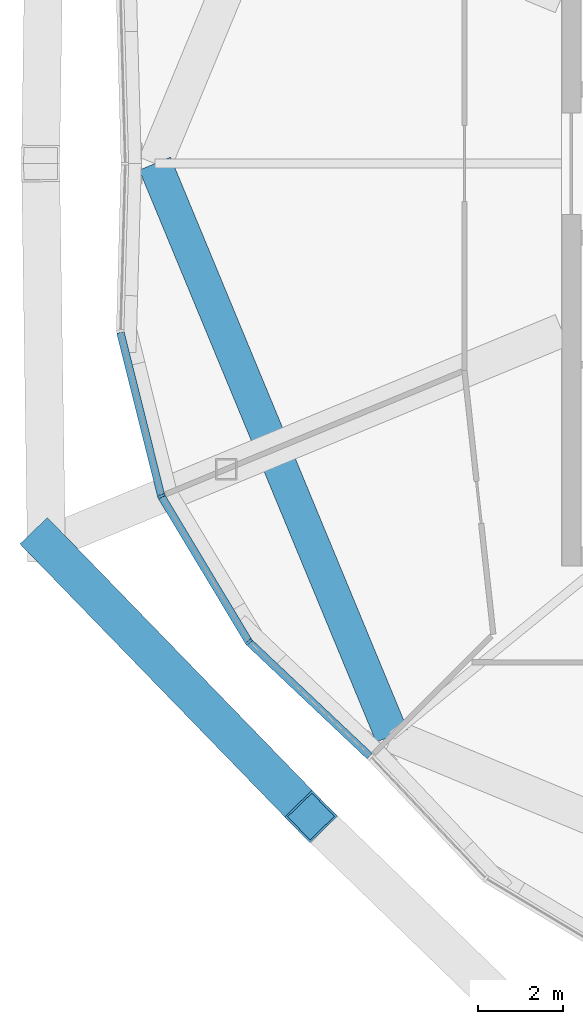
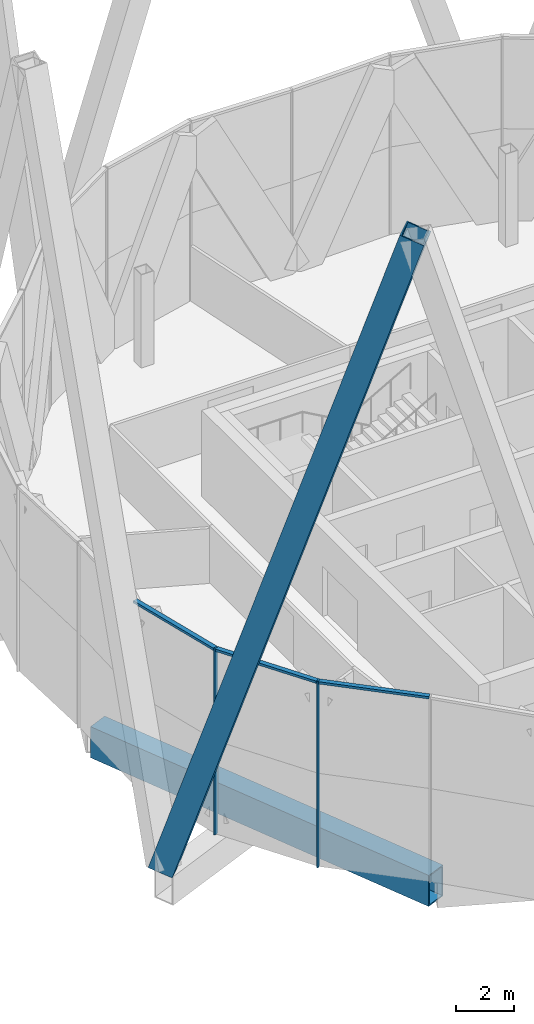
# One storey, part 4 of 53: 6 members, 1 beam, 1 element without a shape of its own.
"""IFC4 building model written with IfcOpenShell, lengths in metres."""

from ifc_helpers import new_model, si_unit, direction, frame, origin, origin_2d, place, context, subcontext, project, spatial, rectangle, hollow_rectangle, extrude, material, material_profile, profile_set, type_object, element, aggregate, save


model = new_model("IFC4")

# Units and contexts
model_context = context("Model", 3, precision=1e-05, world=origin(), true_north=direction((0.0, 1.0)))
body_context = subcontext(model_context, "Body", "Model", "MODEL_VIEW")
ifc_project = project(units=[si_unit("LENGTHUNIT", "METRE"), si_unit("AREAUNIT", "SQUARE_METRE"), si_unit("VOLUMEUNIT", "CUBIC_METRE"), si_unit("PLANEANGLEUNIT", "RADIAN"), si_unit("MASSUNIT", "GRAM", prefix="KILO")], contexts=[model_context])

# Site, building, storey
site_placement = place(None, origin())
site = spatial("IfcSite", under=ifc_project, at=site_placement, CompositionType="ELEMENT")
building_placement = place(site_placement, origin())
building = spatial("IfcBuilding", under=site, at=building_placement, Name="Ogive Gate Towers", CompositionType="ELEMENT")
storey_placement = place(building_placement, frame((0.0, 0.0, 240.60009765625)))
storey = spatial("IfcBuildingStorey", under=building, at=storey_placement, Name="L57", CompositionType="ELEMENT", Elevation=240.60009765625)

# Member
ifc_material_1 = material(Name="Steel SM460", Category="steel")
ifc_material_profile_1 = material_profile(ifc_material_1, hollow_rectangle(XDim=0.89990234375, YDim=0.89990234375, WallThickness=0.050048828125, at=origin_2d()), Name="BX 900x900x50")
ifc_profile_set_1 = profile_set([ifc_material_profile_1], Name="Steel SM460")
member_type_1 = type_object("IfcMemberType", Name="Diagrid diagonal BX 900x900x50", PredefinedType="BRACE", material=ifc_profile_set_1)
member_1_placement = place(storey_placement, frame((-57.67431640625, -8.977783203125, 0.0), z_axis=(0.211259451685, -0.217751746913, 0.952866003586), x_axis=(0.717725362087, 0.696326291775, 0.0)))
element("IfcMember", 1, at=member_1_placement, inside=storey, type_object=member_type_1, Name="T1/L57/SDG010", PredefinedType="BRACE", context=body_context, shape_type="SweptSolid", body=[
    extrude(hollow_rectangle(XDim=0.89990234375, YDim=0.89990234375, WallThickness=0.050048828125, at=origin_2d()), origin(), (0.0, 0.0, 1.0), 29.594970703125),
])

# Beam
ifc_material_profile_2 = material_profile(ifc_material_1, hollow_rectangle(XDim=0.800048828125, YDim=1.300048828125, WallThickness=0.050048828125, at=origin_2d()), Name="BX 1300x800x50")
ifc_profile_set_2 = profile_set([ifc_material_profile_2], Name="Steel SM460")
beam_type = type_object("IfcBeamType", Name="Edge girder BX 1300x800x50", PredefinedType="BEAM", material=ifc_profile_set_2)
beam_placement = place(storey_placement, frame((-55.110107421875, 0.0, -0.9501953125), z_axis=(0.38269921506, -0.923872994947, 0.0), x_axis=(0.923872994947, 0.38269921506, 0.0)))
element("IfcBeam", 2, at=beam_placement, inside=storey, type_object=beam_type, Name="T1/L57/SBM024", PredefinedType="BEAM", context=body_context, shape_type="SweptSolid", body=[
    extrude(hollow_rectangle(XDim=0.800048828125, YDim=1.300048828125, WallThickness=0.050048828125, at=origin_2d()), origin(), (0.0, 0.0, 1.0), 14.626220703125),
])

# Curtain wall, members
ifc_material_2 = material(Name="Pale metal aluminium", Category="aluminium")
curtain_wall_type = type_object("IfcCurtainWallType", Name="Tower unitised wall, high zone", PredefinedType="NOTDEFINED", material=ifc_material_2)
curtain_wall_placement = place(storey_placement, origin())
curtain_wall = element("IfcCurtainWall", 3, at=curtain_wall_placement, inside=storey, type_object=curtain_wall_type, Name="CW2 T1 ECW07", PredefinedType="NOTDEFINED")
ifc_material_profile_3 = material_profile(ifc_material_2, rectangle(XDim=0.179931640625, YDim=0.06005859375, at=origin_2d()), Name="60 x 180 aluminium box")
ifc_profile_set_3 = profile_set([ifc_material_profile_3], Name="Pale metal aluminium")
member_type_2 = type_object("IfcMemberType", Name="Tower unitised wall, high zone mullion 60 x 180", PredefinedType="MULLION", material=ifc_profile_set_3)
member_2_placement = place(storey_placement, frame((-52.890380859375, -11.297607421875, -0.300048828125), z_axis=(0.0, 0.0, 1.0), x_axis=(0.779283280466, 0.626671819046, 0.0)))
member_2 = element("IfcMember", 4, at=member_2_placement, type_object=member_type_2, Name="CW2 mullion", PredefinedType="MULLION", context=body_context, shape_type="SweptSolid", body=[
    extrude(rectangle(XDim=0.179931640625, YDim=0.06005859375, at=origin_2d()), origin(), (0.0, 0.0, 1.0), 7.800048828125),
])
member_3_placement = place(storey_placement, frame((-54.958984375, -7.85302734375, -0.300048828125), z_axis=(0.0, 0.0, 1.0), x_axis=(0.923879532511, 0.382683432365, 0.0)))
member_3 = element("IfcMember", 5, at=member_3_placement, type_object=member_type_2, Name="CW2 mullion", PredefinedType="MULLION", context=body_context, shape_type="SweptSolid", body=[
    extrude(rectangle(XDim=0.179931640625, YDim=0.06005859375, at=origin_2d()), origin(), (0.0, 0.0, 1.0), 7.800048828125),
])
ifc_material_profile_4 = material_profile(ifc_material_2, rectangle(XDim=0.179931640625, YDim=0.10009765625, at=origin_2d()), Name="100 x 180 aluminium box")
ifc_profile_set_4 = profile_set([ifc_material_profile_4], Name="Pale metal aluminium")
member_type_3 = type_object("IfcMemberType", Name="Tower unitised wall, high zone transom 100 x 180", PredefinedType="USERDEFINED", material=ifc_profile_set_4)
member_4_placement = place(storey_placement, frame((-50.03662109375, -13.994384765625, 7.449951171875), z_axis=(-0.726848007603, 0.686798350204, 0.0), x_axis=(-0.686798350204, -0.726848007603, 0.0)))
member_4 = element("IfcMember", 6, at=member_4_placement, type_object=member_type_3, Name="CW2 transom", ObjectType="TRANSOM", PredefinedType="USERDEFINED", context=body_context, shape_type="SweptSolid", body=[
    extrude(rectangle(XDim=0.179931640625, YDim=0.10009765625, at=origin_2d()), origin(), (0.0, 0.0, 1.0), 3.895263671875),
])
member_5_placement = place(storey_placement, frame((-52.90673828125, -11.270751953125, 7.449951171875), z_axis=(-0.51482252034, 0.857296782072, 0.0), x_axis=(-0.857296782072, -0.51482252034, 0.0)))
member_5 = element("IfcMember", 7, at=member_5_placement, type_object=member_type_3, Name="CW2 transom", ObjectType="TRANSOM", PredefinedType="USERDEFINED", context=body_context, shape_type="SweptSolid", body=[
    extrude(rectangle(XDim=0.179931640625, YDim=0.10009765625, at=origin_2d()), origin(), (0.0, 0.0, 1.0), 3.955078125),
])
member_6_placement = place(storey_placement, frame((-54.966796875, -7.822509765625, 7.449951171875), z_axis=(-0.24209986874, 0.970251335251, 0.0), x_axis=(-0.970251335251, -0.24209986874, 0.0)))
member_6 = element("IfcMember", 8, at=member_6_placement, type_object=member_type_3, Name="CW2 transom", ObjectType="TRANSOM", PredefinedType="USERDEFINED", context=body_context, shape_type="SweptSolid", body=[
    extrude(rectangle(XDim=0.179931640625, YDim=0.10009765625, at=origin_2d()), origin(), (0.0, 0.0, 1.0), 3.955078125),
])
aggregate(curtain_wall, [member_2, member_4, member_3, member_5, member_6])

save(model, "model.ifc")
